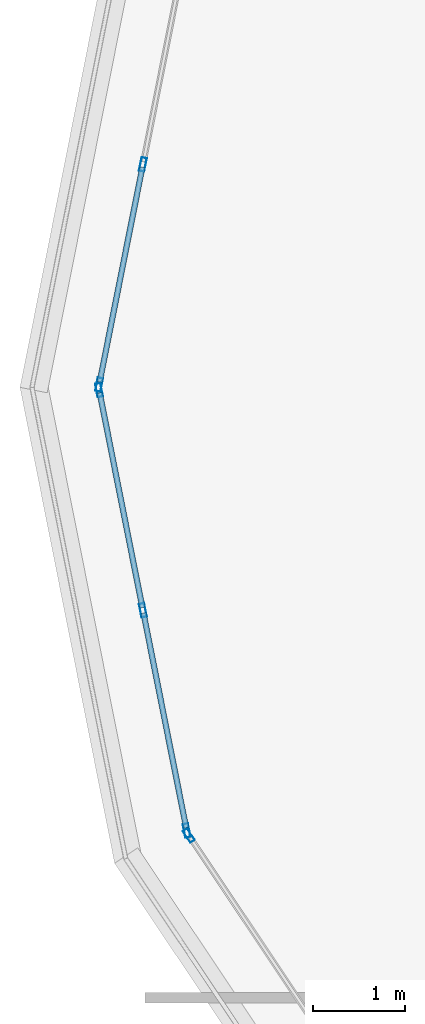
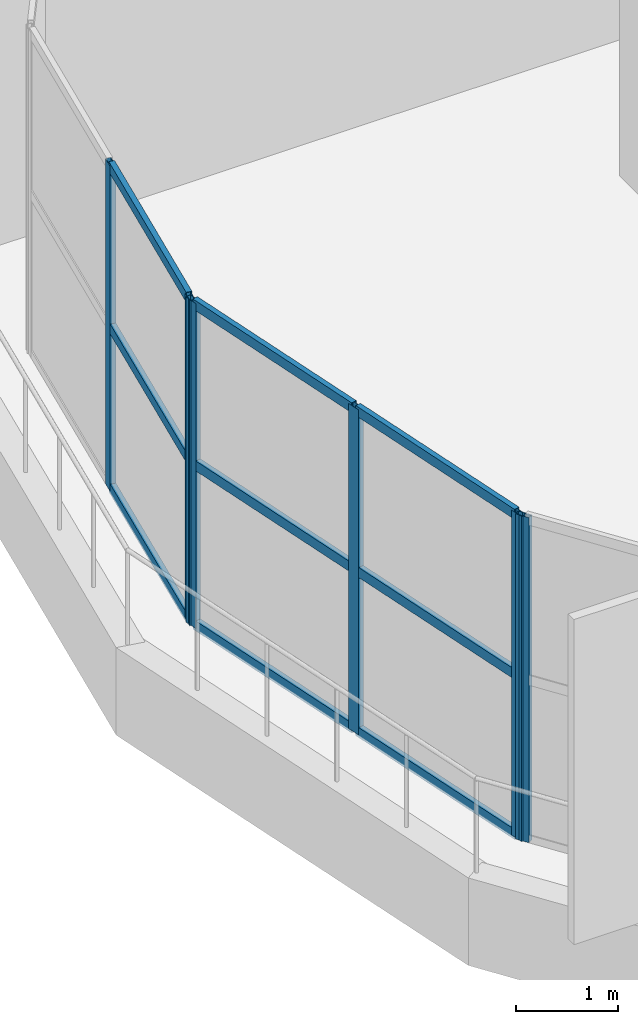
# One storey, part 4 of 63: 15 members, 3 elements without a shape of their own.
"""IFC4 building model written with IfcOpenShell, lengths in metres."""

from ifc_helpers import new_model, si_unit, direction, frame, origin, origin_2d, place, context, subcontext, project, spatial, hollow_rectangle, extrude, material, layer, layer_set, material_profile, profile_set, type_object, element, aggregate, save


model = new_model("IFC4")

# Units and contexts
model_context = context("Model", 3, precision=1e-05, world=origin(), true_north=direction((0.0, 1.0)))
body_context = subcontext(model_context, "Body", "Model", "MODEL_VIEW")
ifc_project = project(units=[si_unit("LENGTHUNIT", "METRE"), si_unit("AREAUNIT", "SQUARE_METRE"), si_unit("VOLUMEUNIT", "CUBIC_METRE"), si_unit("PLANEANGLEUNIT", "RADIAN"), si_unit("MASSUNIT", "GRAM", prefix="KILO")], contexts=[model_context])

# Site, building, storey
site_placement = place(None, origin())
site = spatial("IfcSite", under=ifc_project, at=site_placement, CompositionType="ELEMENT")
building_placement = place(site_placement, origin())
building = spatial("IfcBuilding", under=site, at=building_placement, Name="Zizhar Promenade General Hospital", CompositionType="ELEMENT")
storey_placement = place(building_placement, frame((0.0, 0.0, 18.0)))
storey = spatial("IfcBuildingStorey", under=building, at=storey_placement, Name="L04", CompositionType="ELEMENT", Elevation=18.0)

# Curtain wall, members
ifc_material_1 = material(Name="Anodised aluminium 6063-T6 and low-E glass", Category="aluminium")
ifc_layer = layer(ifc_material_1, 0.159912109375)
ifc_layer_set = layer_set([ifc_layer], Name="Anodised aluminium 6063-T6 and low-E glass")
curtain_wall_type = type_object("IfcCurtainWallType", Name="CW-WARD-ARC", PredefinedType="NOTDEFINED", material=ifc_layer_set)
curtain_wall_1_placement = place(storey_placement, origin())
curtain_wall_1 = element("IfcCurtainWall", 1, at=curtain_wall_1_placement, inside=storey, type_object=curtain_wall_type, Name="Ward Semicircular End Glazing L04-13", PredefinedType="NOTDEFINED")
ifc_material_2 = material(Name="Anodised aluminium 6063-T6", Category="aluminium")
ifc_material_profile_1 = material_profile(ifc_material_2, hollow_rectangle(XDim=0.06005859375, YDim=0.14990234375, WallThickness=0.00390625, at=origin_2d()))
ifc_profile_set_1 = profile_set([ifc_material_profile_1], Name="Anodised aluminium 6063-T6")
member_type_1 = type_object("IfcMemberType", Name="CWM-ALU-150x60", PredefinedType="MULLION", material=ifc_profile_set_1)
member_1_placement = place(storey_placement, frame((15.60595703125, 12.62939453125, 0.0), z_axis=(0.0, 0.0, 1.0), x_axis=(-0.980785889615, 0.195087259275, 0.0)))
member_1 = element("IfcMember", 2, at=member_1_placement, type_object=member_type_1, Name="CW-12 mullion 1", PredefinedType="MULLION", context=body_context, shape_type="SweptSolid", body=[
    extrude(hollow_rectangle(XDim=0.06005859375, YDim=0.14990234375, WallThickness=0.00390625, at=origin_2d()), origin(), (0.0, 0.0, 1.0), 3.89990234375),
])
member_2_placement = place(storey_placement, frame((16.07958984375, 15.010986328125, 0.0), z_axis=(0.0, 0.0, 1.0), x_axis=(-0.980785889615, 0.195087259275, 0.0)))
member_2 = element("IfcMember", 3, at=member_2_placement, type_object=member_type_1, Name="CW-12 mullion 2", PredefinedType="MULLION", context=body_context, shape_type="SweptSolid", body=[
    extrude(hollow_rectangle(XDim=0.06005859375, YDim=0.14990234375, WallThickness=0.00390625, at=origin_2d()), origin(), (0.0, 0.0, 1.0), 3.89990234375),
])

curtain_wall_2_placement = place(storey_placement, origin())
curtain_wall_2 = element("IfcCurtainWall", 4, at=curtain_wall_2_placement, inside=storey, type_object=curtain_wall_type, Name="Ward Semicircular End Glazing L04-14", PredefinedType="NOTDEFINED")
member_3_placement = place(storey_placement, frame((16.55322265625, 7.8076171875, 0.0), z_axis=(0.0, 0.0, 1.0), x_axis=(-0.980785889615, -0.195087259275, 0.0)))
member_3 = element("IfcMember", 5, at=member_3_placement, type_object=member_type_1, Name="CW-12 mullion 1", PredefinedType="MULLION", context=body_context, shape_type="SweptSolid", body=[
    extrude(hollow_rectangle(XDim=0.06005859375, YDim=0.14990234375, WallThickness=0.00390625, at=origin_2d()), origin(), (0.0, 0.0, 1.0), 3.89990234375),
])
member_4_placement = place(storey_placement, frame((16.07958984375, 10.189208984375, 0.0), z_axis=(0.0, 0.0, 1.0), x_axis=(-0.980785889615, -0.195087259275, 0.0)))
member_4 = element("IfcMember", 6, at=member_4_placement, type_object=member_type_1, Name="CW-12 mullion 2", PredefinedType="MULLION", context=body_context, shape_type="SweptSolid", body=[
    extrude(hollow_rectangle(XDim=0.06005859375, YDim=0.14990234375, WallThickness=0.00390625, at=origin_2d()), origin(), (0.0, 0.0, 1.0), 3.89990234375),
])
member_5_placement = place(storey_placement, frame((15.60595703125, 12.570556640625, 0.0), z_axis=(0.0, 0.0, 1.0), x_axis=(-0.980785889615, -0.195087259275, 0.0)))
member_5 = element("IfcMember", 7, at=member_5_placement, type_object=member_type_1, Name="CW-12 mullion 3", PredefinedType="MULLION", context=body_context, shape_type="SweptSolid", body=[
    extrude(hollow_rectangle(XDim=0.06005859375, YDim=0.14990234375, WallThickness=0.00390625, at=origin_2d()), origin(), (0.0, 0.0, 1.0), 3.89990234375),
])

# Curtain wall, member
curtain_wall_3_placement = place(storey_placement, origin())
curtain_wall_3 = element("IfcCurtainWall", 8, at=curtain_wall_3_placement, inside=storey, type_object=curtain_wall_type, Name="Ward Semicircular End Glazing L04-15", PredefinedType="NOTDEFINED")
member_6_placement = place(storey_placement, frame((16.57568359375, 7.753173828125, 0.0), z_axis=(0.0, 0.0, 1.0), x_axis=(-0.831461514468, -0.555582352095, 0.0)))
member_6 = element("IfcMember", 9, at=member_6_placement, type_object=member_type_1, Name="CW-12 mullion 3", PredefinedType="MULLION", context=body_context, shape_type="SweptSolid", body=[
    extrude(hollow_rectangle(XDim=0.06005859375, YDim=0.14990234375, WallThickness=0.00390625, at=origin_2d()), origin(), (0.0, 0.0, 1.0), 3.89990234375),
])
aggregate(curtain_wall_3, [member_6])

# Member
ifc_material_3 = material(Name="Anodised aluminium 6063-T6", Category="aluminium")
ifc_material_profile_2 = material_profile(ifc_material_3, hollow_rectangle(XDim=0.06005859375, YDim=0.1201171875, WallThickness=0.00390625, at=origin_2d()))
ifc_profile_set_2 = profile_set([ifc_material_profile_2], Name="Anodised aluminium 6063-T6")
member_type_2 = type_object("IfcMemberType", Name="CWT-ALU-120x60", PredefinedType="USERDEFINED", material=ifc_profile_set_2)
member_7_placement = place(storey_placement, frame((15.61181640625, 12.658935546875, 0.030029296875), z_axis=(0.195065195628, 0.980790278018, 0.0), x_axis=(-0.980790278018, 0.195065195628, 0.0)))
member_7 = element("IfcMember", 10, at=member_7_placement, type_object=member_type_2, Name="CW-12 transom 1.1", ObjectType="TRANSOM", PredefinedType="USERDEFINED", context=body_context, shape_type="SweptSolid", body=[
    extrude(hollow_rectangle(XDim=0.06005859375, YDim=0.1201171875, WallThickness=0.00390625, at=origin_2d()), origin(), (0.0, 0.0, 1.0), 2.367919921875),
])

member_8_placement = place(storey_placement, frame((15.61181640625, 12.658935546875, 1.949951171875), z_axis=(0.195065195628, 0.980790278018, 0.0), x_axis=(-0.980790278018, 0.195065195628, 0.0)))
member_8 = element("IfcMember", 11, at=member_8_placement, type_object=member_type_2, Name="CW-12 transom 1.2", ObjectType="TRANSOM", PredefinedType="USERDEFINED", context=body_context, shape_type="SweptSolid", body=[
    extrude(hollow_rectangle(XDim=0.06005859375, YDim=0.1201171875, WallThickness=0.00390625, at=origin_2d()), origin(), (0.0, 0.0, 1.0), 2.367919921875),
])

member_9_placement = place(storey_placement, frame((15.61181640625, 12.658935546875, 3.8701171875), z_axis=(0.195065195628, 0.980790278018, 0.0), x_axis=(-0.980790278018, 0.195065195628, 0.0)))
member_9 = element("IfcMember", 12, at=member_9_placement, type_object=member_type_2, Name="CW-12 transom 1.3", ObjectType="TRANSOM", PredefinedType="USERDEFINED", context=body_context, shape_type="SweptSolid", body=[
    extrude(hollow_rectangle(XDim=0.06005859375, YDim=0.1201171875, WallThickness=0.00390625, at=origin_2d()), origin(), (0.0, 0.0, 1.0), 2.367919921875),
])

aggregate(curtain_wall_1, [member_1, member_2, member_7, member_8, member_9])

member_10_placement = place(storey_placement, frame((16.54736328125, 7.837158203125, 0.030029296875), z_axis=(-0.195065195628, 0.980790278018, 0.0), x_axis=(-0.980790278018, -0.195065195628, 0.0)))
member_10 = element("IfcMember", 13, at=member_10_placement, type_object=member_type_2, Name="CW-12 transom 1.1", ObjectType="TRANSOM", PredefinedType="USERDEFINED", context=body_context, shape_type="SweptSolid", body=[
    extrude(hollow_rectangle(XDim=0.06005859375, YDim=0.1201171875, WallThickness=0.00390625, at=origin_2d()), origin(), (0.0, 0.0, 1.0), 2.367919921875),
])

member_11_placement = place(storey_placement, frame((16.54736328125, 7.837158203125, 1.949951171875), z_axis=(-0.195065195628, 0.980790278018, 0.0), x_axis=(-0.980790278018, -0.195065195628, 0.0)))
member_11 = element("IfcMember", 14, at=member_11_placement, type_object=member_type_2, Name="CW-12 transom 1.2", ObjectType="TRANSOM", PredefinedType="USERDEFINED", context=body_context, shape_type="SweptSolid", body=[
    extrude(hollow_rectangle(XDim=0.06005859375, YDim=0.1201171875, WallThickness=0.00390625, at=origin_2d()), origin(), (0.0, 0.0, 1.0), 2.367919921875),
])

member_12_placement = place(storey_placement, frame((16.54736328125, 7.837158203125, 3.8701171875), z_axis=(-0.195065195628, 0.980790278018, 0.0), x_axis=(-0.980790278018, -0.195065195628, 0.0)))
member_12 = element("IfcMember", 15, at=member_12_placement, type_object=member_type_2, Name="CW-12 transom 1.3", ObjectType="TRANSOM", PredefinedType="USERDEFINED", context=body_context, shape_type="SweptSolid", body=[
    extrude(hollow_rectangle(XDim=0.06005859375, YDim=0.1201171875, WallThickness=0.00390625, at=origin_2d()), origin(), (0.0, 0.0, 1.0), 2.367919921875),
])

member_13_placement = place(storey_placement, frame((16.07373046875, 10.218505859375, 0.030029296875), z_axis=(-0.195045472693, 0.980794200422, 0.0), x_axis=(-0.980794200422, -0.195045472693, 0.0)))
member_13 = element("IfcMember", 16, at=member_13_placement, type_object=member_type_2, Name="CW-12 transom 2.1", ObjectType="TRANSOM", PredefinedType="USERDEFINED", context=body_context, shape_type="SweptSolid", body=[
    extrude(hollow_rectangle(XDim=0.06005859375, YDim=0.1201171875, WallThickness=0.00390625, at=origin_2d()), origin(), (0.0, 0.0, 1.0), 2.3681640625),
])

member_14_placement = place(storey_placement, frame((16.07373046875, 10.218505859375, 1.949951171875), z_axis=(-0.195045472693, 0.980794200422, 0.0), x_axis=(-0.980794200422, -0.195045472693, 0.0)))
member_14 = element("IfcMember", 17, at=member_14_placement, type_object=member_type_2, Name="CW-12 transom 2.2", ObjectType="TRANSOM", PredefinedType="USERDEFINED", context=body_context, shape_type="SweptSolid", body=[
    extrude(hollow_rectangle(XDim=0.06005859375, YDim=0.1201171875, WallThickness=0.00390625, at=origin_2d()), origin(), (0.0, 0.0, 1.0), 2.3681640625),
])

member_15_placement = place(storey_placement, frame((16.07373046875, 10.218505859375, 3.8701171875), z_axis=(-0.195045472693, 0.980794200422, 0.0), x_axis=(-0.980794200422, -0.195045472693, 0.0)))
member_15 = element("IfcMember", 18, at=member_15_placement, type_object=member_type_2, Name="CW-12 transom 2.3", ObjectType="TRANSOM", PredefinedType="USERDEFINED", context=body_context, shape_type="SweptSolid", body=[
    extrude(hollow_rectangle(XDim=0.06005859375, YDim=0.1201171875, WallThickness=0.00390625, at=origin_2d()), origin(), (0.0, 0.0, 1.0), 2.3681640625),
])

aggregate(curtain_wall_2, [member_3, member_4, member_5, member_10, member_11, member_12, member_13, member_14, member_15])

save(model, "model.ifc")
